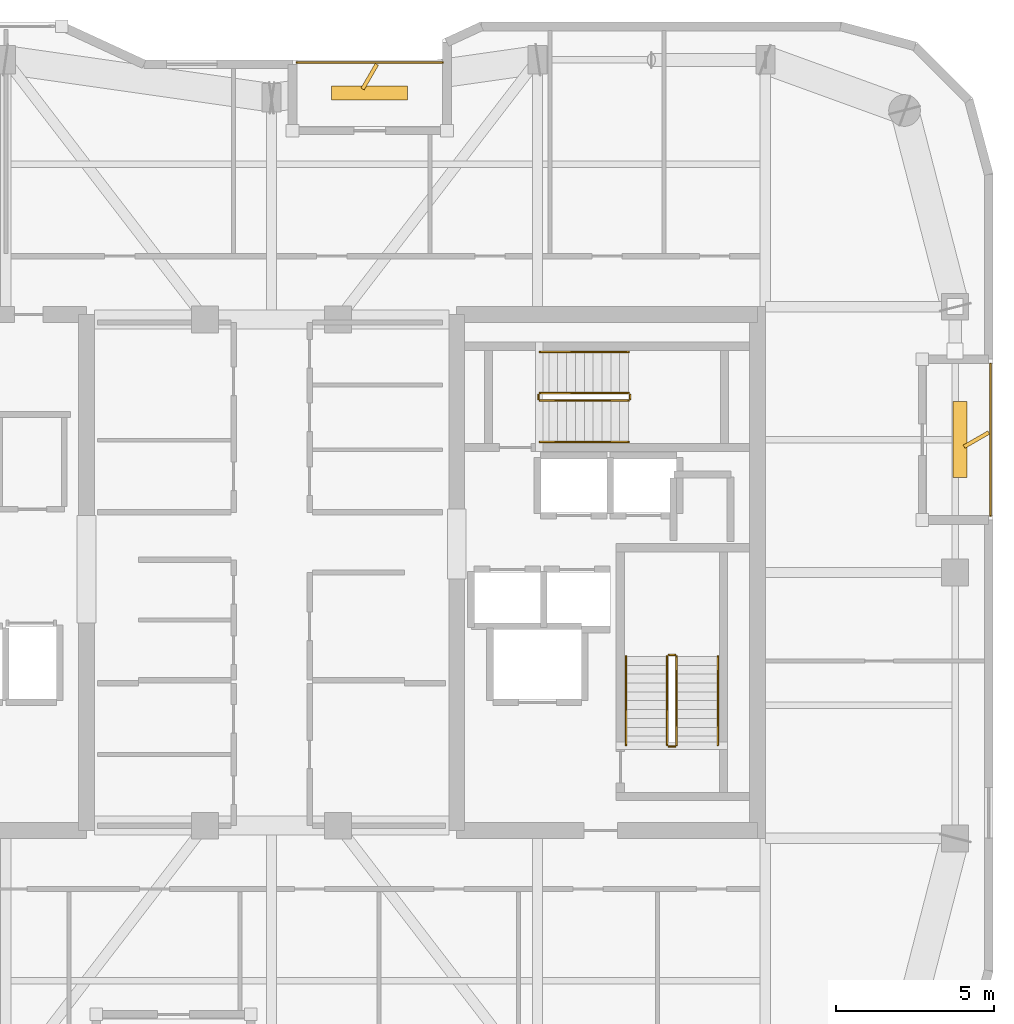
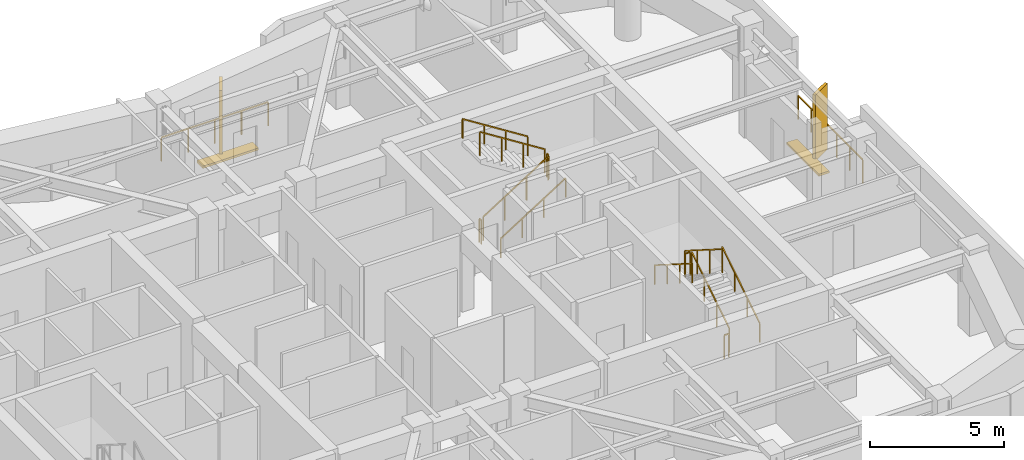
# One storey, part 16 of 16: 14 railings, 4 shading devices.
"""IFC4 building model written with IfcOpenShell, lengths in metres."""

from ifc_helpers import new_model, si_unit, direction, frame, origin, origin_2d, place, context, subcontext, project, spatial, rectangle, extrude, material, type_object, element, save


model = new_model("IFC4")

# Units and contexts
model_context = context("Model", 3, precision=1e-05, world=origin(), true_north=direction((0.0, 1.0)))
body_context = subcontext(model_context, "Body", "Model", "MODEL_VIEW")
ifc_project = project(units=[si_unit("LENGTHUNIT", "METRE"), si_unit("AREAUNIT", "SQUARE_METRE"), si_unit("VOLUMEUNIT", "CUBIC_METRE"), si_unit("PLANEANGLEUNIT", "RADIAN"), si_unit("MASSUNIT", "GRAM", prefix="KILO")], contexts=[model_context])

# Site, building, storey
site_placement = place(None, origin())
site = spatial("IfcSite", under=ifc_project, at=site_placement, CompositionType="ELEMENT")
building_placement = place(site_placement, origin())
building = spatial("IfcBuilding", under=site, at=building_placement, Name="Kiyonajd Concourse Tower", CompositionType="ELEMENT")
storey_placement = place(building_placement, frame((0.0, 0.0, 310.199951171875)))
storey = spatial("IfcBuildingStorey", under=building, at=storey_placement, Name="L78", CompositionType="ELEMENT", Elevation=310.199951171875)

# Railings
ifc_material_1 = material(Name="Thermally Broken Anodised Aluminium", Category="aluminium")
railing_type_1 = type_object("IfcRailingType", Name="RL-GRD-LOG", PredefinedType="GUARDRAIL", material=ifc_material_1)
railing_1_placement = place(storey_placement, frame((53.39990234375, 52.1201171875, 0.0)))
element("IfcRailing", 1, at=railing_1_placement, inside=storey, type_object=railing_type_1, Name="L78 Engawa Loggia Perimeter Guard LOG-N", PredefinedType="GUARDRAIL", context=body_context, shape_type="SweptSolid", body=[
    extrude(rectangle(XDim=0.048095703125, YDim=0.048095703125, at=origin_2d()), frame((0.0, 0.0, 1.076171875), z_axis=(-1.0, 0.0, 0.0), x_axis=(0.0, -1.0, 0.0)), (0.0, 0.0, 1.0), 4.599853515625),
    extrude(rectangle(XDim=0.0419921875, YDim=0.0419921875, at=origin_2d()), origin(), (0.0, 0.0, 1.0), 1.052001953125),
    extrude(rectangle(XDim=0.0419921875, YDim=0.0419921875, at=origin_2d()), frame((-1.14990234375, 0.0, 0.0)), (0.0, 0.0, 1.0), 1.052001953125),
    extrude(rectangle(XDim=0.0419921875, YDim=0.0419921875, at=origin_2d()), frame((-2.2998046875, 0.0, 0.0)), (0.0, 0.0, 1.0), 1.052001953125),
    extrude(rectangle(XDim=0.0419921875, YDim=0.0419921875, at=origin_2d()), frame((-3.449951171875, 0.0, 0.0)), (0.0, 0.0, 1.0), 1.052001953125),
    extrude(rectangle(XDim=0.0419921875, YDim=0.0419921875, at=origin_2d()), frame((-4.599853515625, 0.0, 0.0)), (0.0, 0.0, 1.0), 1.052001953125),
])
railing_2_placement = place(storey_placement, frame((70.719970703125, 37.800048828125, 0.0)))
element("IfcRailing", 2, at=railing_2_placement, inside=storey, type_object=railing_type_1, Name="L78 Engawa Loggia Perimeter Guard LOG-E", PredefinedType="GUARDRAIL", context=body_context, shape_type="SweptSolid", body=[
    extrude(rectangle(XDim=0.048095703125, YDim=0.048095703125, at=origin_2d()), frame((0.0, 0.0, 1.076171875), z_axis=(0.0, 1.0, 0.0), x_axis=(-1.0, 0.0, 0.0)), (0.0, 0.0, 1.0), 4.800048828125),
    extrude(rectangle(XDim=0.0419921875, YDim=0.0419921875, at=origin_2d()), origin(), (0.0, 0.0, 1.0), 1.052001953125),
    extrude(rectangle(XDim=0.0419921875, YDim=0.0419921875, at=origin_2d()), frame((0.0, 0.9599609375, 0.0)), (0.0, 0.0, 1.0), 1.052001953125),
    extrude(rectangle(XDim=0.0419921875, YDim=0.0419921875, at=origin_2d()), frame((0.0, 1.919921875, 0.0)), (0.0, 0.0, 1.0), 1.052001953125),
    extrude(rectangle(XDim=0.0419921875, YDim=0.0419921875, at=origin_2d()), frame((0.0, 2.880126953125, 0.0)), (0.0, 0.0, 1.0), 1.052001953125),
    extrude(rectangle(XDim=0.0419921875, YDim=0.0419921875, at=origin_2d()), frame((0.0, 3.840087890625, 0.0)), (0.0, 0.0, 1.0), 1.052001953125),
    extrude(rectangle(XDim=0.0419921875, YDim=0.0419921875, at=origin_2d()), frame((0.0, 4.800048828125, 0.0)), (0.0, 0.0, 1.0), 1.052001953125),
])
ifc_material_2 = material(Name="Steel ASTM A500 Grade C", Category="steel")
railing_type_2 = type_object("IfcRailingType", Name="RL-GRD-STR", PredefinedType="GUARDRAIL", material=ifc_material_2)
railing_3_placement = place(storey_placement, frame((60.800048828125, 30.550048828125, 0.17724609375)))
element("IfcRailing", 3, at=railing_3_placement, inside=storey, type_object=railing_type_2, Name="L78 ST2 stair guard 1", PredefinedType="GUARDRAIL", context=body_context, shape_type="SweptSolid", body=[
    extrude(rectangle(XDim=0.048095703125, YDim=0.048095703125, at=origin_2d()), frame((0.0, 0.0, 1.076171875), z_axis=(0.0, 0.844908973607, 0.534910110503), x_axis=(-1.0, 0.0, 0.0)), (0.0, 0.0, 1.0), 3.31396484375),
    extrude(rectangle(XDim=0.0419921875, YDim=0.0419921875, at=origin_2d()), origin(), (0.0, 0.0, 1.0), 1.052001953125),
    extrude(rectangle(XDim=0.0419921875, YDim=0.0419921875, at=origin_2d()), frame((0.0, 0.933349609375, 0.5908203125)), (0.0, 0.0, 1.0), 1.052001953125),
    extrude(rectangle(XDim=0.0419921875, YDim=0.0419921875, at=origin_2d()), frame((0.0, 1.86669921875, 1.181884765625)), (0.0, 0.0, 1.0), 1.052001953125),
    extrude(rectangle(XDim=0.0419921875, YDim=0.0419921875, at=origin_2d()), frame((0.0, 2.800048828125, 1.772705078125)), (0.0, 0.0, 1.0), 1.052001953125),
])
railing_4_placement = place(storey_placement, frame((60.75, 33.39990234375, 1.949951171875)))
element("IfcRailing", 4, at=railing_4_placement, inside=storey, type_object=railing_type_2, Name="L78 ST2 stair guard 2", PredefinedType="GUARDRAIL", context=body_context, shape_type="SweptSolid", body=[
    extrude(rectangle(XDim=0.048095703125, YDim=0.048095703125, at=origin_2d()), frame((0.0, 0.0, 1.076171875), z_axis=(-1.0, 0.0, 0.0), x_axis=(0.0, -1.0, 0.0)), (0.0, 0.0, 1.0), 0.199951171875),
    extrude(rectangle(XDim=0.0419921875, YDim=0.0419921875, at=origin_2d()), origin(), (0.0, 0.0, 1.0), 1.052001953125),
    extrude(rectangle(XDim=0.0419921875, YDim=0.0419921875, at=origin_2d()), frame((-0.199951171875, 0.0, 0.0)), (0.0, 0.0, 1.0), 1.052001953125),
])
railing_5_placement = place(storey_placement, frame((60.5, 33.35009765625, 2.12744140625)))
element("IfcRailing", 5, at=railing_5_placement, inside=storey, type_object=railing_type_2, Name="L78 ST2 stair guard 3", PredefinedType="GUARDRAIL", context=body_context, shape_type="SweptSolid", body=[
    extrude(rectangle(XDim=0.048095703125, YDim=0.048095703125, at=origin_2d()), frame((0.0, 0.0, 1.076171875), z_axis=(0.0, -0.844908973607, 0.534910110503), x_axis=(1.0, 0.0, 0.0)), (0.0, 0.0, 1.0), 3.31396484375),
    extrude(rectangle(XDim=0.0419921875, YDim=0.0419921875, at=origin_2d()), origin(), (0.0, 0.0, 1.0), 1.052001953125),
    extrude(rectangle(XDim=0.0419921875, YDim=0.0419921875, at=origin_2d()), frame((0.0, -0.933349609375, 0.5908203125)), (0.0, 0.0, 1.0), 1.052001953125),
    extrude(rectangle(XDim=0.0419921875, YDim=0.0419921875, at=origin_2d()), frame((0.0, -1.86669921875, 1.181884765625)), (0.0, 0.0, 1.0), 1.052001953125),
    extrude(rectangle(XDim=0.0419921875, YDim=0.0419921875, at=origin_2d()), frame((0.0, -2.800048828125, 1.772705078125)), (0.0, 0.0, 1.0), 1.052001953125),
])
railing_6_placement = place(storey_placement, frame((60.75, 30.5, 0.0)))
element("IfcRailing", 6, at=railing_6_placement, inside=storey, type_object=railing_type_2, Name="L78 ST2 stair guard 4", PredefinedType="GUARDRAIL", context=body_context, shape_type="SweptSolid", body=[
    extrude(rectangle(XDim=0.048095703125, YDim=0.048095703125, at=origin_2d()), frame((0.0, 0.0, 1.076171875), z_axis=(-1.0, 0.0, 0.0), x_axis=(0.0, -1.0, 0.0)), (0.0, 0.0, 1.0), 0.199951171875),
    extrude(rectangle(XDim=0.0419921875, YDim=0.0419921875, at=origin_2d()), origin(), (0.0, 0.0, 1.0), 1.052001953125),
    extrude(rectangle(XDim=0.0419921875, YDim=0.0419921875, at=origin_2d()), frame((-0.199951171875, 0.0, 0.0)), (0.0, 0.0, 1.0), 1.052001953125),
])
railing_7_placement = place(storey_placement, frame((56.47998046875, 41.429931640625, 0.17724609375)))
element("IfcRailing", 7, at=railing_7_placement, inside=storey, type_object=railing_type_2, Name="L78 ST3 stair guard 1", PredefinedType="GUARDRAIL", context=body_context, shape_type="SweptSolid", body=[
    extrude(rectangle(XDim=0.048095703125, YDim=0.048095703125, at=origin_2d()), frame((0.0, 0.0, 1.076171875), z_axis=(0.844908973607, 0.0, 0.534910110503), x_axis=(0.0, 1.0, 0.0)), (0.0, 0.0, 1.0), 3.31396484375),
    extrude(rectangle(XDim=0.0419921875, YDim=0.0419921875, at=origin_2d()), origin(), (0.0, 0.0, 1.0), 1.052001953125),
    extrude(rectangle(XDim=0.0419921875, YDim=0.0419921875, at=origin_2d()), frame((0.933349609375, 0.0, 0.5908203125)), (0.0, 0.0, 1.0), 1.052001953125),
    extrude(rectangle(XDim=0.0419921875, YDim=0.0419921875, at=origin_2d()), frame((1.86669921875, 0.0, 1.181884765625)), (0.0, 0.0, 1.0), 1.052001953125),
    extrude(rectangle(XDim=0.0419921875, YDim=0.0419921875, at=origin_2d()), frame((2.800048828125, 0.0, 1.772705078125)), (0.0, 0.0, 1.0), 1.052001953125),
])
railing_8_placement = place(storey_placement, frame((59.330078125, 41.47998046875, 1.949951171875)))
element("IfcRailing", 8, at=railing_8_placement, inside=storey, type_object=railing_type_2, Name="L78 ST3 stair guard 2", PredefinedType="GUARDRAIL", context=body_context, shape_type="SweptSolid", body=[
    extrude(rectangle(XDim=0.048095703125, YDim=0.048095703125, at=origin_2d()), frame((0.0, 0.0, 1.076171875), z_axis=(0.0, 1.0, 0.0), x_axis=(-1.0, 0.0, 0.0)), (0.0, 0.0, 1.0), 0.14013671875),
    extrude(rectangle(XDim=0.0419921875, YDim=0.0419921875, at=origin_2d()), origin(), (0.0, 0.0, 1.0), 1.052001953125),
    extrude(rectangle(XDim=0.0419921875, YDim=0.0419921875, at=origin_2d()), frame((0.0, 0.14013671875, 0.0)), (0.0, 0.0, 1.0), 1.052001953125),
])
railing_9_placement = place(storey_placement, frame((59.280029296875, 41.669921875, 2.12744140625)))
element("IfcRailing", 9, at=railing_9_placement, inside=storey, type_object=railing_type_2, Name="L78 ST3 stair guard 3", PredefinedType="GUARDRAIL", context=body_context, shape_type="SweptSolid", body=[
    extrude(rectangle(XDim=0.048095703125, YDim=0.048095703125, at=origin_2d()), frame((0.0, 0.0, 1.076171875), z_axis=(-0.844908973607, 0.0, 0.534910110503), x_axis=(0.0, -1.0, 0.0)), (0.0, 0.0, 1.0), 3.31396484375),
    extrude(rectangle(XDim=0.0419921875, YDim=0.0419921875, at=origin_2d()), origin(), (0.0, 0.0, 1.0), 1.052001953125),
    extrude(rectangle(XDim=0.0419921875, YDim=0.0419921875, at=origin_2d()), frame((-0.933349609375, 0.0, 0.5908203125)), (0.0, 0.0, 1.0), 1.052001953125),
    extrude(rectangle(XDim=0.0419921875, YDim=0.0419921875, at=origin_2d()), frame((-1.86669921875, 0.0, 1.181884765625)), (0.0, 0.0, 1.0), 1.052001953125),
    extrude(rectangle(XDim=0.0419921875, YDim=0.0419921875, at=origin_2d()), frame((-2.800048828125, 0.0, 1.772705078125)), (0.0, 0.0, 1.0), 1.052001953125),
])
railing_10_placement = place(storey_placement, frame((56.429931640625, 41.47998046875, 0.0)))
element("IfcRailing", 10, at=railing_10_placement, inside=storey, type_object=railing_type_2, Name="L78 ST3 stair guard 4", PredefinedType="GUARDRAIL", context=body_context, shape_type="SweptSolid", body=[
    extrude(rectangle(XDim=0.048095703125, YDim=0.048095703125, at=origin_2d()), frame((0.0, 0.0, 1.076171875), z_axis=(0.0, 1.0, 0.0), x_axis=(-1.0, 0.0, 0.0)), (0.0, 0.0, 1.0), 0.14013671875),
    extrude(rectangle(XDim=0.0419921875, YDim=0.0419921875, at=origin_2d()), origin(), (0.0, 0.0, 1.0), 1.052001953125),
    extrude(rectangle(XDim=0.0419921875, YDim=0.0419921875, at=origin_2d()), frame((0.0, 0.14013671875, 0.0)), (0.0, 0.0, 1.0), 1.052001953125),
])
ifc_material_3 = material(Name="Brushed Stainless Steel Cab Assembly", Category="steel")
railing_type_3 = type_object("IfcRailingType", Name="RL-HND-900", PredefinedType="HANDRAIL", material=ifc_material_3)
railing_11_placement = place(storey_placement, frame((62.10009765625, 30.550048828125, 0.17724609375)))
element("IfcRailing", 11, at=railing_11_placement, inside=storey, type_object=railing_type_3, Name="L78 ST2 stair handrail 1", PredefinedType="HANDRAIL", context=body_context, shape_type="SweptSolid", body=[
    extrude(rectangle(XDim=0.048095703125, YDim=0.048095703125, at=origin_2d()), frame((0.0, 0.0, 0.8759765625), z_axis=(0.0, 0.844908973607, 0.534910110503), x_axis=(-1.0, 0.0, 0.0)), (0.0, 0.0, 1.0), 3.31396484375),
    extrude(rectangle(XDim=0.0419921875, YDim=0.0419921875, at=origin_2d()), origin(), (0.0, 0.0, 1.0), 0.851806640625),
    extrude(rectangle(XDim=0.0419921875, YDim=0.0419921875, at=origin_2d()), frame((0.0, 0.933349609375, 0.5908203125)), (0.0, 0.0, 1.0), 0.851806640625),
    extrude(rectangle(XDim=0.0419921875, YDim=0.0419921875, at=origin_2d()), frame((0.0, 1.86669921875, 1.181884765625)), (0.0, 0.0, 1.0), 0.851806640625),
    extrude(rectangle(XDim=0.0419921875, YDim=0.0419921875, at=origin_2d()), frame((0.0, 2.800048828125, 1.772705078125)), (0.0, 0.0, 1.0), 0.851806640625),
])
railing_12_placement = place(storey_placement, frame((59.199951171875, 33.35009765625, 2.12744140625)))
element("IfcRailing", 12, at=railing_12_placement, inside=storey, type_object=railing_type_3, Name="L78 ST2 stair handrail 2", PredefinedType="HANDRAIL", context=body_context, shape_type="SweptSolid", body=[
    extrude(rectangle(XDim=0.048095703125, YDim=0.048095703125, at=origin_2d()), frame((0.0, 0.0, 0.8759765625), z_axis=(0.0, -0.844908973607, 0.534910110503), x_axis=(1.0, 0.0, 0.0)), (0.0, 0.0, 1.0), 3.31396484375),
    extrude(rectangle(XDim=0.0419921875, YDim=0.0419921875, at=origin_2d()), origin(), (0.0, 0.0, 1.0), 0.851806640625),
    extrude(rectangle(XDim=0.0419921875, YDim=0.0419921875, at=origin_2d()), frame((0.0, -0.933349609375, 0.5908203125)), (0.0, 0.0, 1.0), 0.851806640625),
    extrude(rectangle(XDim=0.0419921875, YDim=0.0419921875, at=origin_2d()), frame((0.0, -1.86669921875, 1.181884765625)), (0.0, 0.0, 1.0), 0.851806640625),
    extrude(rectangle(XDim=0.0419921875, YDim=0.0419921875, at=origin_2d()), frame((0.0, -2.800048828125, 1.772705078125)), (0.0, 0.0, 1.0), 0.851806640625),
])
railing_13_placement = place(storey_placement, frame((56.47998046875, 40.1298828125, 0.17724609375)))
element("IfcRailing", 13, at=railing_13_placement, inside=storey, type_object=railing_type_3, Name="L78 ST3 stair handrail 1", PredefinedType="HANDRAIL", context=body_context, shape_type="SweptSolid", body=[
    extrude(rectangle(XDim=0.048095703125, YDim=0.048095703125, at=origin_2d()), frame((0.0, 0.0, 0.8759765625), z_axis=(0.844908973607, 0.0, 0.534910110503), x_axis=(0.0, 1.0, 0.0)), (0.0, 0.0, 1.0), 3.31396484375),
    extrude(rectangle(XDim=0.0419921875, YDim=0.0419921875, at=origin_2d()), origin(), (0.0, 0.0, 1.0), 0.851806640625),
    extrude(rectangle(XDim=0.0419921875, YDim=0.0419921875, at=origin_2d()), frame((0.933349609375, 0.0, 0.5908203125)), (0.0, 0.0, 1.0), 0.851806640625),
    extrude(rectangle(XDim=0.0419921875, YDim=0.0419921875, at=origin_2d()), frame((1.86669921875, 0.0, 1.181884765625)), (0.0, 0.0, 1.0), 0.851806640625),
    extrude(rectangle(XDim=0.0419921875, YDim=0.0419921875, at=origin_2d()), frame((2.800048828125, 0.0, 1.772705078125)), (0.0, 0.0, 1.0), 0.851806640625),
])
railing_14_placement = place(storey_placement, frame((59.280029296875, 42.969970703125, 2.12744140625)))
element("IfcRailing", 14, at=railing_14_placement, inside=storey, type_object=railing_type_3, Name="L78 ST3 stair handrail 2", PredefinedType="HANDRAIL", context=body_context, shape_type="SweptSolid", body=[
    extrude(rectangle(XDim=0.048095703125, YDim=0.048095703125, at=origin_2d()), frame((0.0, 0.0, 0.8759765625), z_axis=(-0.844908973607, 0.0, 0.534910110503), x_axis=(0.0, -1.0, 0.0)), (0.0, 0.0, 1.0), 3.31396484375),
    extrude(rectangle(XDim=0.0419921875, YDim=0.0419921875, at=origin_2d()), origin(), (0.0, 0.0, 1.0), 0.851806640625),
    extrude(rectangle(XDim=0.0419921875, YDim=0.0419921875, at=origin_2d()), frame((-0.933349609375, 0.0, 0.5908203125)), (0.0, 0.0, 1.0), 0.851806640625),
    extrude(rectangle(XDim=0.0419921875, YDim=0.0419921875, at=origin_2d()), frame((-1.86669921875, 0.0, 1.181884765625)), (0.0, 0.0, 1.0), 0.851806640625),
    extrude(rectangle(XDim=0.0419921875, YDim=0.0419921875, at=origin_2d()), frame((-2.800048828125, 0.0, 1.772705078125)), (0.0, 0.0, 1.0), 0.851806640625),
])

# Shading devices
ifc_material_4 = material(Name="Precast concrete C50/60", Category="concrete")
shading_device_type_1 = type_object("IfcShadingDeviceType", Name="SH-FIN-900", PredefinedType="USERDEFINED", material=ifc_material_4)
for number, where, z_axis, x_axis, name in (
    (15, (51.10009765625, 51.669921875, 0.0), (0.0, 0.0, 1.0), (0.5, 0.866025403784, 0.0), "L78 Angled Koshi Solar Fin LOG-N"),
    (16, (70.27001953125, 40.199951171875, 0.0), (0.0, 0.0, 1.0), (0.866025403784, 0.5, 0.0), "L78 Angled Koshi Solar Fin LOG-E"),
):
    element("IfcShadingDevice", number, at=place(storey_placement, frame(where, z_axis=z_axis, x_axis=x_axis)), inside=storey, type_object=shading_device_type_1, Name=name, ObjectType="FIN", PredefinedType="USERDEFINED", context=body_context, shape_type="SweptSolid", body=[
        extrude(rectangle(XDim=0.89990234375, YDim=0.1201171875, at=origin_2d()), origin(), (0.0, 0.0, 1.0), 3.0),
    ])
shading_device_type_2 = type_object("IfcShadingDeviceType", Name="SH-LVR-600", PredefinedType="JALOUSIE", material=ifc_material_1)
for number, where, z_axis, x_axis, name in (
    (17, (51.10009765625, 51.14990234375, 0.0), (0.0, 0.0, 1.0), (1.0, 0.0, 0.0), "L78 Loggia Threshold Louver LOG-N"),
    (18, (69.75, 40.199951171875, 0.0), (0.0, 0.0, 1.0), (0.0, 1.0, 0.0), "L78 Loggia Threshold Louver LOG-E"),
):
    element("IfcShadingDevice", number, at=place(storey_placement, frame(where, z_axis=z_axis, x_axis=x_axis)), inside=storey, type_object=shading_device_type_2, Name=name, PredefinedType="JALOUSIE", context=body_context, shape_type="SweptSolid", body=[
        extrude(rectangle(XDim=2.39990234375, YDim=0.449951171875, at=origin_2d()), origin(), (0.0, 0.0, 1.0), 0.10009765625),
    ])

save(model, "model.ifc")
